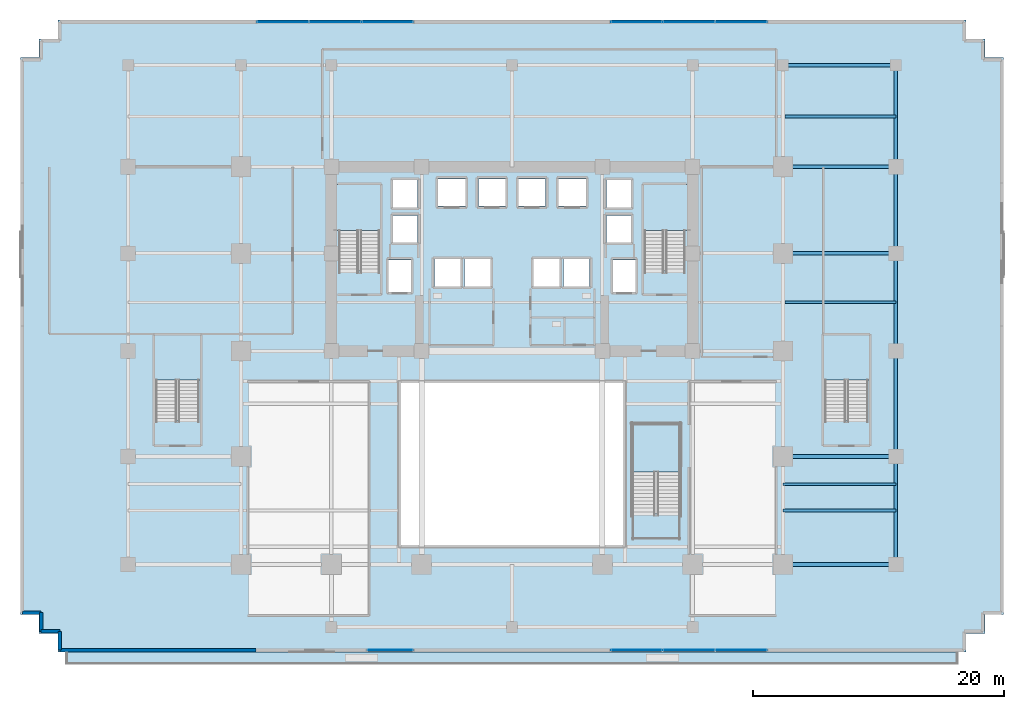
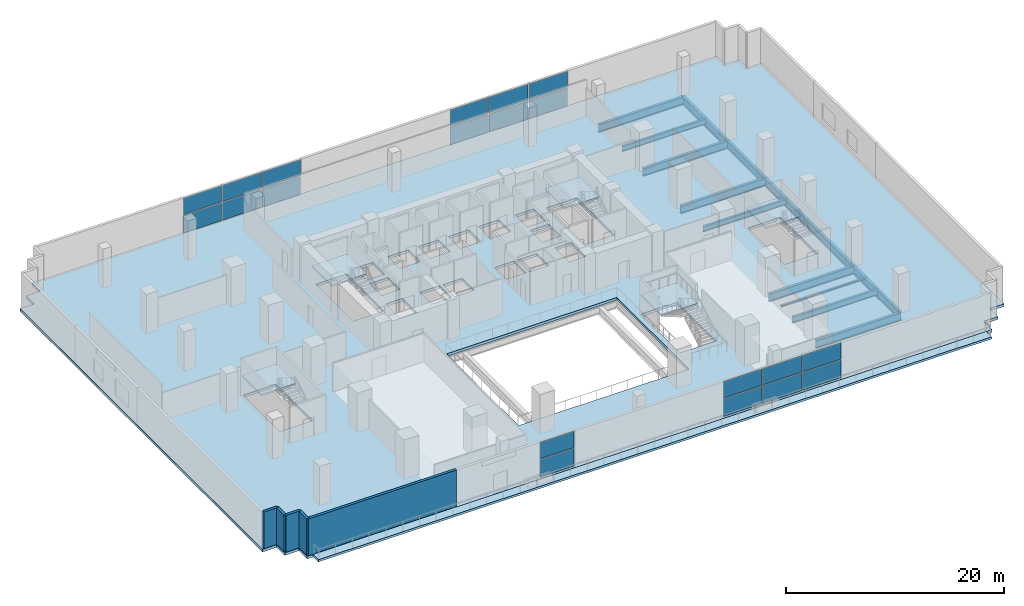
# One storey, part 11 of 21: 20 plates, 14 beams, 7 slabs, 5 walls, 9 elements without a shape of their own.
"""IFC4 building model written with IfcOpenShell, lengths in metres."""

import ifcopenshell
import ifcopenshell.guid

model = None  # the IFC model being written
_history = None  # IfcOwnerHistory: only IFC2X3 demands one
_inside = {}  # id of a spatial element -> (the spatial element, [elements in it])
_under = {}  # id of a project, library or spatial element -> (it, [spatial elements below it])
_declared = {}  # id of a project -> (the project, [libraries it declares])
_typed = {}  # id of a type object -> (the type object, [elements of that type])
_made_of = {}  # id of a material, layer set ... -> (it, [elements and type objects made of it])


def new_model(schema):
    """Start an empty IFC model of exactly this schema.

    Asked for "IFC4X3", IfcOpenShell would pick the latest addendum, in which some entities
    have other attributes; the version numbers below select the first issue.
    IFC2X3 requires an IfcOwnerHistory on every rooted entity: one is made here for all.
    """
    global model, _history
    if schema == "IFC4X3":
        model = ifcopenshell.file(schema_version=(4, 3, 0, 0))
    else:
        model = ifcopenshell.file(schema=schema)
    _inside.clear()
    _under.clear()
    _declared.clear()
    _typed.clear()
    _made_of.clear()
    _history = None
    if model.schema == "IFC2X3":
        org = make("IfcOrganization", Name="unknown")
        user = make(
            "IfcPersonAndOrganization",
            ThePerson=make("IfcPerson", FamilyName="unknown"),
            TheOrganization=org,
        )
        app = make(
            "IfcApplication",
            ApplicationDeveloper=org,
            Version="unknown",
            ApplicationFullName="unknown",
            ApplicationIdentifier="unknown",
        )
        _history = make(
            "IfcOwnerHistory",
            OwningUser=user,
            OwningApplication=app,
            ChangeAction="ADDED",
            CreationDate=0,
        )
    return model


def make(cls, **values):
    """One entity of the class cls with the attributes given. An attribute that is None is left unset."""
    return model.create_entity(
        cls, **{name: value for name, value in values.items() if value is not None}
    )


def rooted(cls, **values):
    """An entity with a GlobalId (a new one), such as an element, a storey or a relation."""
    return make(cls, GlobalId=ifcopenshell.guid.new(), OwnerHistory=_history, **values)


def si_unit(unit_type, name, prefix=None):
    """IfcSIUnit, for example si_unit("LENGTHUNIT", "METRE", prefix="MILLI")."""
    return make("IfcSIUnit", UnitType=unit_type, Prefix=prefix, Name=name)


def assignment(units):
    """IfcUnitAssignment: the units of a project."""
    return None if units is None else make("IfcUnitAssignment", Units=units)


def point(xyz):
    """IfcCartesianPoint."""
    return None if xyz is None else make("IfcCartesianPoint", Coordinates=xyz)


def direction(xyz):
    """IfcDirection."""
    return None if xyz is None else make("IfcDirection", DirectionRatios=xyz)


def frame(location, z_axis=None, x_axis=None):
    """IfcAxis2Placement3D, a coordinate frame: its origin and axes. An axis left out is left unset."""
    return make(
        "IfcAxis2Placement3D",
        Location=point(location),
        Axis=direction(z_axis),
        RefDirection=direction(x_axis),
    )


def frame_2d(location, x_axis=None):
    """IfcAxis2Placement2D, a coordinate frame in the plane: its origin and x axis."""
    return make(
        "IfcAxis2Placement2D", Location=point(location), RefDirection=direction(x_axis)
    )


def origin():
    """The frame at (0, 0, 0) with its axes left unset."""
    return frame((0.0, 0.0, 0.0))


def origin_2d():
    """The frame at (0, 0) in the plane with its x axis left unset."""
    return frame_2d((0.0, 0.0))


def place(relative_to, where):
    """IfcLocalPlacement: puts the frame where relative to a parent placement (None: the world)."""
    return make(
        "IfcLocalPlacement", PlacementRelTo=relative_to, RelativePlacement=where
    )


def context(
    kind, dimensions, precision=None, world=None, true_north=None, identifier=None
):
    """IfcGeometricRepresentationContext, for example the 3D "Model" context."""
    return make(
        "IfcGeometricRepresentationContext",
        ContextIdentifier=identifier,
        ContextType=kind,
        CoordinateSpaceDimension=dimensions,
        Precision=precision,
        WorldCoordinateSystem=world,
        TrueNorth=true_north,
    )


def subcontext(parent, identifier, kind, view, scale=None):
    """IfcGeometricRepresentationSubContext, for example "Body" below "Model"."""
    return make(
        "IfcGeometricRepresentationSubContext",
        ContextIdentifier=identifier,
        ContextType=kind,
        ParentContext=parent,
        TargetScale=scale,
        TargetView=view,
    )


def project(units=None, contexts=None):
    """IfcProject with its units and contexts."""
    return rooted(
        "IfcProject",
        Name="project",
        RepresentationContexts=contexts,
        UnitsInContext=assignment(units),
    )


def spatial(cls, under=None, at=None, **own):
    """A site, building, storey or space (cls), placed at a placement, below another one or the project."""
    s = rooted(cls, ObjectPlacement=at, **own)
    if under is not None:
        _under.setdefault(under.id(), (under, []))[1].append(s)
    return s


def polyline(points):
    """IfcPolyline through the points."""
    return make("IfcPolyline", Points=[point(p) for p in points])


def profile(cls, at=None, kind="AREA", **sizes):
    """A parametric profile (cls). Its sizes go by their IFC names, for example OverallWidth=200.0."""
    return make(cls, ProfileType=kind, Position=at, **sizes)


def rectangle(**sizes):
    """IfcRectangleProfileDef."""
    return profile("IfcRectangleProfileDef", **sizes)


def i_section(**sizes):
    """IfcIShapeProfileDef."""
    return profile("IfcIShapeProfileDef", **sizes)


def outline(outer, holes=None, kind="AREA"):
    """IfcArbitraryClosedProfileDef: a profile drawn as a closed curve; with holes, ...WithVoids."""
    if holes is None:
        return make("IfcArbitraryClosedProfileDef", ProfileType=kind, OuterCurve=outer)
    return make(
        "IfcArbitraryProfileDefWithVoids",
        ProfileType=kind,
        OuterCurve=outer,
        InnerCurves=holes,
    )


def extrude(swept, where, along, depth):
    """IfcExtrudedAreaSolid: the profile swept, set in the frame where, extruded along a direction by depth."""
    return make(
        "IfcExtrudedAreaSolid",
        SweptArea=swept,
        Position=where,
        ExtrudedDirection=direction(along),
        Depth=depth,
    )


def shape(context_of_items, identifier, shape_type, items):
    """IfcShapeRepresentation: the items that make up one representation, for example the "Body"."""
    return make(
        "IfcShapeRepresentation",
        ContextOfItems=context_of_items,
        RepresentationIdentifier=identifier,
        RepresentationType=shape_type,
        Items=items,
    )


def source(mapping_origin, context_of_items, identifier, shape_type, items):
    """IfcRepresentationMap: a shape defined once, which mapped items show again and again."""
    return make(
        "IfcRepresentationMap",
        MappingOrigin=mapping_origin,
        MappedRepresentation=shape(context_of_items, identifier, shape_type, items),
    )


def transform(
    local_origin,
    x_axis=None,
    y_axis=None,
    z_axis=None,
    scale=None,
    scale2=None,
    scale3=None,
    uniform=True,
):
    """IfcCartesianTransformationOperator3D, or its non-uniform kind. x_axis, y_axis, z_axis: its Axis1, 2, 3."""
    if uniform:
        return make(
            "IfcCartesianTransformationOperator3D",
            Axis1=direction(x_axis),
            Axis2=direction(y_axis),
            LocalOrigin=point(local_origin),
            Scale=scale,
            Axis3=direction(z_axis),
        )
    return make(
        "IfcCartesianTransformationOperator3DnonUniform",
        Axis1=direction(x_axis),
        Axis2=direction(y_axis),
        LocalOrigin=point(local_origin),
        Scale=scale,
        Axis3=direction(z_axis),
        Scale2=scale2,
        Scale3=scale3,
    )


def mapped(mapping_source, mapping_target):
    """IfcMappedItem: shows the shape of a source again, moved by a transform."""
    return make(
        "IfcMappedItem", MappingSource=mapping_source, MappingTarget=mapping_target
    )


def material(Name=None, Category=None):
    """IfcMaterial."""
    return make("IfcMaterial", Name=Name, Category=Category)


def layer(
    of_material, thickness, ventilated=None, Name=None, Category=None, Priority=None
):
    """IfcMaterialLayer: one layer of a wall or slab, of a material (None: an air gap)."""
    return make(
        "IfcMaterialLayer",
        Material=of_material,
        LayerThickness=thickness,
        IsVentilated=ventilated,
        Name=Name,
        Category=Category,
        Priority=Priority,
    )


def layer_set(layers, Name=None):
    """IfcMaterialLayerSet."""
    return make("IfcMaterialLayerSet", MaterialLayers=layers, LayerSetName=Name)


def material_profile(
    of_material, cross_section, Name=None, Category=None, Priority=None
):
    """IfcMaterialProfile: a cross section and its material."""
    return make(
        "IfcMaterialProfile",
        Name=Name,
        Material=of_material,
        Profile=cross_section,
        Priority=Priority,
        Category=Category,
    )


def profile_set(profiles, Name=None, composite=None):
    """IfcMaterialProfileSet."""
    return make(
        "IfcMaterialProfileSet",
        Name=Name,
        MaterialProfiles=profiles,
        CompositeProfile=composite,
    )


def made_of(thing, what):
    """Note that an element or type object is made of a material, layer set ...; save() writes the relation."""
    if what is not None:
        _made_of.setdefault(what.id(), (what, []))[1].append(thing)
    return thing


def type_object(cls, material=None, **own):
    """A type object (cls), such as IfcWallType, which elements share."""
    return made_of(rooted(cls, **own), material)


def element(
    cls,
    number,
    at=None,
    inside=None,
    cuts=None,
    type_object=None,
    material=None,
    context=None,
    identifier="Body",
    shape_type=None,
    held_by="IfcProductDefinitionShape",
    body=None,
    shapes=None,
    **own,
):
    """One element of the class cls, such as IfcWall. Its Tag is "e" and its number.

    at: its placement. inside: the storey or other place that contains it. cuts: it is an
    opening in that element (IfcRelVoidsElement). A single representation is given by context,
    identifier, shape_type and body (its items); several are given by shapes. held_by: the class
    of the entity that holds the representations. save() writes the other relations.
    """
    e = rooted(cls, Tag="e%d" % number, ObjectPlacement=at, **own)
    if body is not None:
        shapes = [shape(context, identifier, shape_type, body)]
    if shapes is not None:
        e.Representation = make(held_by, Representations=shapes)
    if inside is not None:
        _inside.setdefault(inside.id(), (inside, []))[1].append(e)
    if cuts is not None:
        rooted(
            "IfcRelVoidsElement", RelatingBuildingElement=cuts, RelatedOpeningElement=e
        )
    if type_object is not None:
        _typed.setdefault(type_object.id(), (type_object, []))[1].append(e)
    return made_of(e, material)


def aggregate(whole, parts):
    """IfcRelAggregates: a whole, such as a stair, and the parts it consists of."""
    return rooted("IfcRelAggregates", RelatingObject=whole, RelatedObjects=parts)


def save(model, path):
    """Write the relations noted so far, then the file.

    IfcRelAggregates (storeys below a building ...), IfcRelContainedInSpatialStructure (elements
    in a storey), IfcRelDefinesByType, IfcRelAssociatesMaterial and IfcRelDeclares: one each for
    every whole, place, type object, material and project.
    """
    for whole, parts in _under.values():
        aggregate(whole, parts)
    for where, things in _inside.values():
        rooted(
            "IfcRelContainedInSpatialStructure",
            RelatedElements=things,
            RelatingStructure=where,
        )
    for kind, things in _typed.values():
        rooted("IfcRelDefinesByType", RelatedObjects=things, RelatingType=kind)
    for what, things in _made_of.values():
        rooted("IfcRelAssociatesMaterial", RelatedObjects=things, RelatingMaterial=what)
    for by, libraries in _declared.values():
        rooted("IfcRelDeclares", RelatingContext=by, RelatedDefinitions=libraries)
    model.write(path)


model = new_model("IFC4")

# Units and contexts
model_context = context("Model", 3, precision=1e-05, world=origin(), true_north=direction((0.0, 1.0)))
body_context = subcontext(model_context, "Body", "Model", "MODEL_VIEW")
ifc_project = project(units=[si_unit("LENGTHUNIT", "METRE"), si_unit("AREAUNIT", "SQUARE_METRE"), si_unit("VOLUMEUNIT", "CUBIC_METRE"), si_unit("PLANEANGLEUNIT", "RADIAN"), si_unit("MASSUNIT", "GRAM", prefix="KILO")], contexts=[model_context])

# Site, building, storey
site_placement = place(None, origin())
site = spatial("IfcSite", under=ifc_project, at=site_placement, CompositionType="ELEMENT")
building_placement = place(site_placement, origin())
building = spatial("IfcBuilding", under=site, at=building_placement, Name="Zarnakvel Exchange Tower", CompositionType="ELEMENT")
storey_placement = place(building_placement, frame((0.0, 0.0, 5.0)))
storey = spatial("IfcBuildingStorey", under=building, at=storey_placement, Name="L01", CompositionType="ELEMENT", Elevation=5.0)

# Beams
ifc_material_1 = material(Name="Steel S355", Category="steel")
ifc_material_profile_1 = material_profile(ifc_material_1, i_section(OverallWidth=0.255859375, OverallDepth=0.69287109375, WebThickness=0.014404296875, FlangeThickness=0.023681640625, FilletRadius=0.01513671875, at=origin_2d()))
ifc_profile_set_1 = profile_set([ifc_material_profile_1], Name="Steel S355")
beam_type_1 = type_object("IfcBeamType", Name="B-01", PredefinedType="JOIST", material=ifc_profile_set_1)
beam_1_placement = place(storey_placement, frame((21.60009765625, -13.89990234375, -0.646484375), z_axis=(1.0, 0.0, 0.0), x_axis=(0.0, 1.0, 0.0)))
element("IfcBeam", 1, at=beam_1_placement, inside=storey, type_object=beam_type_1, Name="L01 Podium Wing Secondary Joist East", PredefinedType="JOIST", context=body_context, shape_type="SweptSolid", body=[
    extrude(i_section(OverallWidth=0.255859375, OverallDepth=0.69287109375, WebThickness=0.014404296875, FlangeThickness=0.023681640625, FilletRadius=0.01513671875, at=origin_2d()), origin(), (0.0, 0.0, 1.0), 9.0),
])
ifc_material_profile_2 = material_profile(ifc_material_1, i_section(OverallWidth=0.230224609375, OverallDepth=0.6171875, WebThickness=0.01318359375, FlangeThickness=0.022216796875, FilletRadius=0.0126953125, at=origin_2d()))
ifc_profile_set_2 = profile_set([ifc_material_profile_2], Name="Steel S355")
beam_type_2 = type_object("IfcBeamType", Name="B-02", PredefinedType="JOIST", material=ifc_profile_set_2)
for number, where, z_axis, x_axis, name in (
    (2, (21.75, 2.699951171875, -0.608642578125), (1.0, 0.0, 0.0), (0.0, 1.0, 0.0), "L01 Secondary Floor Joist"),
    (3, (21.75, 17.5, -0.608642578125), (1.0, 0.0, 0.0), (0.0, 1.0, 0.0), "L01 North Bay Secondary Floor Joist"),
):
    element("IfcBeam", number, at=place(storey_placement, frame(where, z_axis=z_axis, x_axis=x_axis)), inside=storey, type_object=beam_type_2, Name=name, PredefinedType="JOIST", context=body_context, shape_type="SweptSolid", body=[
        extrude(i_section(OverallWidth=0.230224609375, OverallDepth=0.6171875, WebThickness=0.01318359375, FlangeThickness=0.022216796875, FilletRadius=0.0126953125, at=origin_2d()), origin(), (0.0, 0.0, 1.0), 8.85009765625),
    ])
ifc_material_profile_3 = material_profile(ifc_material_1, i_section(OverallWidth=0.300048828125, OverallDepth=0.89990234375, WebThickness=0.0185546875, FlangeThickness=0.034912109375, FilletRadius=0.030029296875, at=origin_2d()))
ifc_profile_set_3 = profile_set([ifc_material_profile_3], Name="Steel S355")
beam_type_3 = type_object("IfcBeamType", Name="G-01", PredefinedType="BEAM", material=ifc_profile_set_3)
for number, where, z_axis, x_axis, name in (
    (4, (21.60009765625, -18.199951171875, -0.75), (1.0, 0.0, 0.0), (0.0, 1.0, 0.0), "L01 Primary E-W Girder Y=-18.2"),
    (5, (21.60009765625, -9.60009765625, -0.75), (1.0, 0.0, 0.0), (0.0, 1.0, 0.0), "L01 Primary E-W Girder Y=-9.6"),
    (6, (21.60009765625, 6.60009765625, -0.75), (1.0, 0.0, 0.0), (0.0, 1.0, 0.0), "L01 Primary E-W Girder Y=+6.6"),
    (7, (21.60009765625, 13.5, -0.75), (1.0, 0.0, 0.0), (0.0, 1.0, 0.0), "L01 Primary E-W Girder Y=+13.5"),
    (8, (21.60009765625, 21.60009765625, -0.75), (1.0, 0.0, 0.0), (0.0, 1.0, 0.0), "L01 Primary E-W Girder Y=+21.6"),
):
    element("IfcBeam", number, at=place(storey_placement, frame(where, z_axis=z_axis, x_axis=x_axis)), inside=storey, type_object=beam_type_3, Name=name, PredefinedType="BEAM", context=body_context, shape_type="SweptSolid", body=[
        extrude(i_section(OverallWidth=0.300048828125, OverallDepth=0.89990234375, WebThickness=0.0185546875, FlangeThickness=0.034912109375, FilletRadius=0.030029296875, at=origin_2d()), origin(), (0.0, 0.0, 1.0), 9.0),
    ])
beam_2_placement = place(storey_placement, frame((30.60009765625, -18.199951171875, -0.75), z_axis=(0.0, 1.0, 0.0), x_axis=(-1.0, 0.0, 0.0)))
element("IfcBeam", 9, at=beam_2_placement, inside=storey, type_object=beam_type_3, Name="L01 Primary N-S Girder X=+30.6", PredefinedType="BEAM", context=body_context, shape_type="SweptSolid", body=[
    extrude(i_section(OverallWidth=0.300048828125, OverallDepth=0.89990234375, WebThickness=0.0185546875, FlangeThickness=0.034912109375, FilletRadius=0.030029296875, at=origin_2d()), origin(), (0.0, 0.0, 1.0), 8.599853515625),
])
beam_3_placement = place(storey_placement, frame((30.60009765625, -9.60009765625, -0.75), z_axis=(0.0, 1.0, 0.0), x_axis=(-1.0, 0.0, 0.0)))
element("IfcBeam", 10, at=beam_3_placement, inside=storey, type_object=beam_type_3, Name="L01 Primary N-S Girder X=+30.6", PredefinedType="BEAM", context=body_context, shape_type="SweptSolid", body=[
    extrude(i_section(OverallWidth=0.300048828125, OverallDepth=0.89990234375, WebThickness=0.0185546875, FlangeThickness=0.034912109375, FilletRadius=0.030029296875, at=origin_2d()), origin(), (0.0, 0.0, 1.0), 8.400146484375),
])
beam_4_placement = place(storey_placement, frame((30.60009765625, -1.199951171875, -0.75), z_axis=(0.0, 1.0, 0.0), x_axis=(-1.0, 0.0, 0.0)))
element("IfcBeam", 11, at=beam_4_placement, inside=storey, type_object=beam_type_3, Name="L01 Primary N-S Girder X=+30.6", PredefinedType="BEAM", context=body_context, shape_type="SweptSolid", body=[
    extrude(i_section(OverallWidth=0.300048828125, OverallDepth=0.89990234375, WebThickness=0.0185546875, FlangeThickness=0.034912109375, FilletRadius=0.030029296875, at=origin_2d()), origin(), (0.0, 0.0, 1.0), 7.800048828125),
])
beam_5_placement = place(storey_placement, frame((30.60009765625, 6.60009765625, -0.75), z_axis=(0.0, 1.0, 0.0), x_axis=(-1.0, 0.0, 0.0)))
element("IfcBeam", 12, at=beam_5_placement, inside=storey, type_object=beam_type_3, Name="L01 Primary N-S Girder X=+30.6", PredefinedType="BEAM", context=body_context, shape_type="SweptSolid", body=[
    extrude(i_section(OverallWidth=0.300048828125, OverallDepth=0.89990234375, WebThickness=0.0185546875, FlangeThickness=0.034912109375, FilletRadius=0.030029296875, at=origin_2d()), origin(), (0.0, 0.0, 1.0), 6.89990234375),
])
beam_6_placement = place(storey_placement, frame((30.60009765625, 13.5, -0.75), z_axis=(0.0, 1.0, 0.0), x_axis=(-1.0, 0.0, 0.0)))
element("IfcBeam", 13, at=beam_6_placement, inside=storey, type_object=beam_type_3, Name="L01 Primary N-S Girder X=+30.6", PredefinedType="BEAM", context=body_context, shape_type="SweptSolid", body=[
    extrude(i_section(OverallWidth=0.300048828125, OverallDepth=0.89990234375, WebThickness=0.0185546875, FlangeThickness=0.034912109375, FilletRadius=0.030029296875, at=origin_2d()), origin(), (0.0, 0.0, 1.0), 8.10009765625),
])
ifc_material_profile_4 = material_profile(ifc_material_1, i_section(OverallWidth=0.199951171875, OverallDepth=0.199951171875, WebThickness=0.009033203125, FlangeThickness=0.014892578125, FilletRadius=0.01806640625, at=origin_2d()))
ifc_profile_set_4 = profile_set([ifc_material_profile_4], Name="Steel S355")
beam_type_4 = type_object("IfcBeamType", Name="LN-02", PredefinedType="LINTEL", material=ifc_profile_set_4)
beam_7_placement = place(storey_placement, frame((21.60009765625, -11.800048828125, -0.39990234375), z_axis=(1.0, 0.0, 0.0), x_axis=(0.0, 1.0, 0.0)))
element("IfcBeam", 14, at=beam_7_placement, inside=storey, type_object=beam_type_4, Name="L01 Concourse Gallery Opening Lintel East", PredefinedType="LINTEL", context=body_context, shape_type="SweptSolid", body=[
    extrude(i_section(OverallWidth=0.199951171875, OverallDepth=0.199951171875, WebThickness=0.009033203125, FlangeThickness=0.014892578125, FilletRadius=0.01806640625, at=origin_2d()), origin(), (0.0, 0.0, 1.0), 9.0),
])

# Stair, slab
ifc_material_2 = material(Name="Concrete C40/50", Category="concrete")
stair_type_1 = type_object("IfcStairType", Name="STR-01", PredefinedType="HALF_TURN_STAIR", material=ifc_material_2)
stair_1_placement = place(storey_placement, origin())
stair_1 = element("IfcStair", 15, at=stair_1_placement, inside=storey, type_object=stair_type_1, Name="L01 Protected Core Exit Stair ST-01", PredefinedType="HALF_TURN_STAIR")
ifc_layer_1 = layer(ifc_material_2, 0.199951171875)
ifc_layer_set_1 = layer_set([ifc_layer_1], Name="Concrete C40/50")
slab_type_1 = type_object("IfcSlabType", Name="LDG-01", PredefinedType="LANDING", material=ifc_layer_set_1)
slab_1_placement = place(storey_placement, frame((0.0, 0.0, 2.0)))
slab_1 = element("IfcSlab", 16, at=slab_1_placement, type_object=slab_type_1, Name="ST-01 landing 1", PredefinedType="LANDING", context=body_context, shape_type="SweptSolid", body=[
    extrude(outline(polyline([(-14.18994140625, 8.409912109375), (-10.4599609375, 8.409912109375), (-10.4599609375, 12.080078125), (-14.18994140625, 12.080078125), (-14.18994140625, 8.409912109375)])), origin(), (0.0, 0.0, 1.0), 0.199951171875),
])
aggregate(stair_1, [slab_1])

stair_2_placement = place(storey_placement, origin())
stair_2 = element("IfcStair", 17, at=stair_2_placement, inside=storey, type_object=stair_type_1, Name="L01 Protected Core Exit Stair ST-02", PredefinedType="HALF_TURN_STAIR")
slab_2_placement = place(storey_placement, frame((0.0, 0.0, 2.0)))
slab_2 = element("IfcSlab", 18, at=slab_2_placement, type_object=slab_type_1, Name="ST-02 landing 1", PredefinedType="LANDING", context=body_context, shape_type="SweptSolid", body=[
    extrude(outline(polyline([(10.4599609375, 8.409912109375), (14.18994140625, 8.409912109375), (14.18994140625, 12.080078125), (10.4599609375, 12.080078125), (10.4599609375, 8.409912109375)])), origin(), (0.0, 0.0, 1.0), 0.199951171875),
])
aggregate(stair_2, [slab_2])

stair_type_2 = type_object("IfcStairType", Name="STR-02", PredefinedType="HALF_TURN_STAIR", material=ifc_material_2)
stair_3_placement = place(storey_placement, origin())
stair_3 = element("IfcStair", 19, at=stair_3_placement, inside=storey, type_object=stair_type_2, Name="L01 Podium West Exit Stair ST-03", PredefinedType="HALF_TURN_STAIR")
slab_3_placement = place(storey_placement, frame((0.0, 0.0, 2.0)))
slab_3 = element("IfcSlab", 20, at=slab_3_placement, type_object=slab_type_1, Name="ST-03 landing 1", PredefinedType="LANDING", context=body_context, shape_type="SweptSolid", body=[
    extrude(outline(polyline([(-28.5, -3.489990234375), (-24.840087890625, -3.489990234375), (-24.840087890625, 0.10009765625), (-28.5, 0.10009765625), (-28.5, -3.489990234375)])), origin(), (0.0, 0.0, 1.0), 0.199951171875),
])
aggregate(stair_3, [slab_3])

stair_4_placement = place(storey_placement, origin())
stair_4 = element("IfcStair", 21, at=stair_4_placement, inside=storey, type_object=stair_type_2, Name="L01 Podium East Exit Stair ST-04", PredefinedType="HALF_TURN_STAIR")
slab_4_placement = place(storey_placement, frame((0.0, 0.0, 2.0)))
slab_4 = element("IfcSlab", 22, at=slab_4_placement, type_object=slab_type_1, Name="ST-04 landing 1", PredefinedType="LANDING", context=body_context, shape_type="SweptSolid", body=[
    extrude(outline(polyline([(24.840087890625, -3.489990234375), (28.5, -3.489990234375), (28.5, 0.10009765625), (24.840087890625, 0.10009765625), (24.840087890625, -3.489990234375)])), origin(), (0.0, 0.0, 1.0), 0.199951171875),
])
aggregate(stair_4, [slab_4])

stair_type_3 = type_object("IfcStairType", Name="STR-04", PredefinedType="HALF_TURN_STAIR", material=ifc_material_2)
stair_5_placement = place(storey_placement, origin())
stair_5 = element("IfcStair", 23, at=stair_5_placement, inside=storey, type_object=stair_type_3, Name="L01 Exchange Concourse Atrium Feature Stair ST-06", PredefinedType="HALF_TURN_STAIR")
slab_5_placement = place(storey_placement, frame((0.0, 0.0, 2.0)))
slab_5 = element("IfcSlab", 24, at=slab_5_placement, type_object=slab_type_1, Name="ST-06 landing 1", PredefinedType="LANDING", context=body_context, shape_type="SweptSolid", body=[
    extrude(outline(polyline([(9.580078125, -10.820068359375), (13.419921875, -10.820068359375), (13.419921875, -6.97998046875), (9.580078125, -6.97998046875), (9.580078125, -10.820068359375)])), origin(), (0.0, 0.0, 1.0), 0.199951171875),
])
aggregate(stair_5, [slab_5])

# Slabs
ifc_layer_2 = layer(ifc_material_2, 0.300048828125)
ifc_layer_set_2 = layer_set([ifc_layer_2], Name="Concrete C40/50")
slab_type_2 = type_object("IfcSlabType", Name="SL-01", PredefinedType="FLOOR", material=ifc_layer_set_2)
slab_6_placement = place(storey_placement, frame((0.0, 0.0, -0.300048828125)))
element("IfcSlab", 25, at=slab_6_placement, inside=storey, type_object=slab_type_2, Name="L01 Primary Structural Floor Slab", PredefinedType="FLOOR", context=body_context, shape_type="SweptSolid", body=[
    extrude(outline(polyline([(-39.199951171875, -22.199951171875), (-37.699951171875, -22.199951171875), (-37.699951171875, -23.699951171875), (-36.199951171875, -23.699951171875), (-36.199951171875, -25.199951171875), (36.199951171875, -25.199951171875), (36.199951171875, -23.699951171875), (37.699951171875, -23.699951171875), (37.699951171875, -22.199951171875), (39.199951171875, -22.199951171875), (39.199951171875, 22.199951171875), (37.699951171875, 22.199951171875), (37.699951171875, 23.699951171875), (36.199951171875, 23.699951171875), (36.199951171875, 25.199951171875), (-36.199951171875, 25.199951171875), (-36.199951171875, 23.699951171875), (-37.699951171875, 23.699951171875), (-37.699951171875, 22.199951171875), (-39.199951171875, 22.199951171875), (-39.199951171875, -22.199951171875)]), holes=[polyline([(-9.0, -16.800048828125), (9.0, -16.800048828125), (9.0, -3.60009765625), (-9.0, -3.60009765625), (-9.0, -16.800048828125)]), polyline([(-13.800048828125, 5.2099609375), (-10.5400390625, 5.2099609375), (-10.5400390625, 12.0), (-13.800048828125, 12.0), (-13.800048828125, 5.2099609375)]), polyline([(10.5400390625, 5.2099609375), (13.800048828125, 5.2099609375), (13.800048828125, 12.0), (10.5400390625, 12.0), (10.5400390625, 5.2099609375)]), polyline([(-28.39990234375, -6.68994140625), (-24.93994140625, -6.68994140625), (-24.93994140625, 0.0), (-28.39990234375, 0.0), (-28.39990234375, -6.68994140625)]), polyline([(24.93994140625, -6.68994140625), (28.39990234375, -6.68994140625), (28.39990234375, 0.0), (24.93994140625, 0.0), (24.93994140625, -6.68994140625)]), polyline([(9.60009765625, -14.139892578125), (13.39990234375, -14.139892578125), (13.39990234375, -7.0), (9.60009765625, -7.0), (9.60009765625, -14.139892578125)]), polyline([(-9.830078125, 3.52001953125), (-8.070068359375, 3.52001953125), (-8.070068359375, 6.080078125), (-9.830078125, 6.080078125), (-9.830078125, 3.52001953125)]), polyline([(8.070068359375, 3.52001953125), (9.830078125, 3.52001953125), (9.830078125, 6.080078125), (8.070068359375, 6.080078125), (8.070068359375, 3.52001953125)]), polyline([(-5.8798828125, 10.3701171875), (-3.719970703125, 10.3701171875), (-3.719970703125, 12.530029296875), (-5.8798828125, 12.530029296875), (-5.8798828125, 10.3701171875)]), polyline([(-2.679931640625, 10.3701171875), (-0.52001953125, 10.3701171875), (-0.52001953125, 12.530029296875), (-2.679931640625, 12.530029296875), (-2.679931640625, 10.3701171875)]), polyline([(0.52001953125, 10.3701171875), (2.679931640625, 10.3701171875), (2.679931640625, 12.530029296875), (0.52001953125, 12.530029296875), (0.52001953125, 10.3701171875)]), polyline([(3.719970703125, 10.3701171875), (5.8798828125, 10.3701171875), (5.8798828125, 12.530029296875), (3.719970703125, 12.530029296875), (3.719970703125, 10.3701171875)]), polyline([(-6.179931640625, 3.969970703125), (-4.1201171875, 3.969970703125), (-4.1201171875, 6.1298828125), (-6.179931640625, 6.1298828125), (-6.179931640625, 3.969970703125)]), polyline([(-3.780029296875, 3.969970703125), (-1.719970703125, 3.969970703125), (-1.719970703125, 6.1298828125), (-3.780029296875, 6.1298828125), (-3.780029296875, 3.969970703125)]), polyline([(1.719970703125, 3.969970703125), (3.780029296875, 3.969970703125), (3.780029296875, 6.1298828125), (1.719970703125, 6.1298828125), (1.719970703125, 3.969970703125)]), polyline([(4.1201171875, 3.969970703125), (6.179931640625, 3.969970703125), (6.179931640625, 6.1298828125), (4.1201171875, 6.1298828125), (4.1201171875, 3.969970703125)]), polyline([(-9.47998046875, 7.469970703125), (-7.52001953125, 7.469970703125), (-7.52001953125, 9.6298828125), (-9.47998046875, 9.6298828125), (-9.47998046875, 7.469970703125)]), polyline([(-9.47998046875, 10.27001953125), (-7.52001953125, 10.27001953125), (-7.52001953125, 12.429931640625), (-9.47998046875, 12.429931640625), (-9.47998046875, 10.27001953125)]), polyline([(7.52001953125, 7.469970703125), (9.47998046875, 7.469970703125), (9.47998046875, 9.6298828125), (7.52001953125, 9.6298828125), (7.52001953125, 7.469970703125)]), polyline([(7.52001953125, 10.27001953125), (9.47998046875, 10.27001953125), (9.47998046875, 12.429931640625), (7.52001953125, 12.429931640625), (7.52001953125, 10.27001953125)])]), origin(), (0.0, 0.0, 1.0), 0.300048828125),
])
ifc_layer_3 = layer(ifc_material_2, 0.239990234375)
ifc_layer_set_3 = layer_set([ifc_layer_3], Name="Concrete C40/50")
slab_type_3 = type_object("IfcSlabType", Name="SL-06", PredefinedType="ROOF", material=ifc_layer_set_3)
slab_7_placement = place(storey_placement, frame((0.0, 0.0, -0.239990234375)))
element("IfcSlab", 26, at=slab_7_placement, inside=storey, type_object=slab_type_3, Name="L01 Cascading Podium Outdoor Terrace Slab", PredefinedType="ROOF", context=body_context, shape_type="SweptSolid", body=[
    extrude(outline(polyline([(-35.60009765625, -26.199951171875), (35.60009765625, -26.199951171875), (35.60009765625, -25.199951171875), (-35.60009765625, -25.199951171875), (-35.60009765625, -26.199951171875)])), origin(), (0.0, 0.0, 1.0), 0.239990234375),
])

# Curtain wall, plates
ifc_material_3 = material(Name="Architectural Bronze Anodised Aluminium", Category="aluminium")
ifc_layer_4 = layer(ifc_material_3, 0.260009765625)
ifc_layer_set_4 = layer_set([ifc_layer_4], Name="Architectural Bronze Anodised Aluminium")
curtain_wall_type = type_object("IfcCurtainWallType", Name="CW-01", PredefinedType="NOTDEFINED", material=ifc_layer_set_4)
curtain_wall_1_placement = place(storey_placement, origin())
curtain_wall_1 = element("IfcCurtainWall", 27, at=curtain_wall_1_placement, inside=storey, type_object=curtain_wall_type, Name="L01 Curtain Wall CW-L01-S1 (CW-01)", PredefinedType="NOTDEFINED")
ifc_material_4 = material(Name="Double Low-E Laminated Vision Glass", Category="glass")
ifc_layer_5 = layer(ifc_material_4, 0.035888671875)
ifc_layer_set_5 = layer_set([ifc_layer_5], Name="Double Low-E Laminated Vision Glass")
plate_type = type_object("IfcPlateType", Name="CWP-01", PredefinedType="CURTAIN_PANEL", material=ifc_layer_set_5)
shared_shape_1 = source(origin(), body_context, "Body", "SweptSolid", [
    extrude(rectangle(XDim=3.60009765625, YDim=0.035888671875, at=origin_2d()), origin(), (0.0, 0.0, 1.0), 1.986572265625),
])
plate_1_placement = place(storey_placement, frame((-9.699951171875, -25.0400390625, 0.08984375), z_axis=(0.0, 0.0, 1.0), x_axis=(1.0, 0.0, 0.0)))
plate_1 = element("IfcPlate", 28, at=plate_1_placement, type_object=plate_type, Name="CW-01 panel 1.1", PredefinedType="CURTAIN_PANEL", context=body_context, shape_type="MappedRepresentation", body=[
    mapped(shared_shape_1, transform((0.0, 0.0, 0.0), x_axis=(1.0, 0.0, 0.0), y_axis=(0.0, 1.0, 0.0), z_axis=(0.0, 0.0, 1.0), scale=1.0)),
])
shared_shape_2 = source(origin(), body_context, "Body", "SweptSolid", [
    extrude(rectangle(XDim=3.60009765625, YDim=0.035888671875, at=origin_2d()), origin(), (0.0, 0.0, 1.0), 1.823486328125),
])
plate_2_placement = place(storey_placement, frame((-9.699951171875, -25.0400390625, 2.16650390625), z_axis=(0.0, 0.0, 1.0), x_axis=(1.0, 0.0, 0.0)))
plate_2 = element("IfcPlate", 29, at=plate_2_placement, type_object=plate_type, Name="CW-01 panel 1.2", PredefinedType="CURTAIN_PANEL", context=body_context, shape_type="MappedRepresentation", body=[
    mapped(shared_shape_2, transform((0.0, 0.0, 0.0), x_axis=(1.0, 0.0, 0.0), y_axis=(0.0, 1.0, 0.0), z_axis=(0.0, 0.0, 1.0), scale=1.0)),
])
aggregate(curtain_wall_1, [plate_1, plate_2])

curtain_wall_2_placement = place(storey_placement, origin())
curtain_wall_2 = element("IfcCurtainWall", 30, at=curtain_wall_2_placement, inside=storey, type_object=curtain_wall_type, Name="L01 Curtain Wall CW-L01-S2 (CW-01)", PredefinedType="NOTDEFINED")
shared_shape_3 = source(origin(), body_context, "Body", "SweptSolid", [
    extrude(rectangle(XDim=4.050048828125, YDim=0.035888671875, at=origin_2d()), origin(), (0.0, 0.0, 1.0), 1.986572265625),
])
plate_3_placement = place(storey_placement, frame((9.925048828125, -25.0400390625, 0.08984375), z_axis=(0.0, 0.0, 1.0), x_axis=(1.0, 0.0, 0.0)))
plate_3 = element("IfcPlate", 31, at=plate_3_placement, type_object=plate_type, Name="CW-01 panel 1.1", PredefinedType="CURTAIN_PANEL", context=body_context, shape_type="MappedRepresentation", body=[
    mapped(shared_shape_3, transform((0.0, 0.0, 0.0), x_axis=(1.0, 0.0, 0.0), y_axis=(0.0, 1.0, 0.0), z_axis=(0.0, 0.0, 1.0), scale=1.0)),
])
plate_4_placement = place(storey_placement, frame((18.27490234375, -25.0400390625, 0.08984375), z_axis=(0.0, 0.0, 1.0), x_axis=(1.0, 0.0, 0.0)))
plate_4 = element("IfcPlate", 32, at=plate_4_placement, type_object=plate_type, Name="CW-01 panel 3.1", PredefinedType="CURTAIN_PANEL", context=body_context, shape_type="MappedRepresentation", body=[
    mapped(shared_shape_3, transform((0.0, 0.0, 0.0), x_axis=(1.0, 0.0, 0.0), y_axis=(0.0, 1.0, 0.0), z_axis=(0.0, 0.0, 1.0), scale=1.0)),
])

curtain_wall_3_placement = place(storey_placement, origin())
curtain_wall_3 = element("IfcCurtainWall", 33, at=curtain_wall_3_placement, inside=storey, type_object=curtain_wall_type, Name="L01 Curtain Wall CW-L01-N1 (CW-01)", PredefinedType="NOTDEFINED")
plate_5_placement = place(storey_placement, frame((-18.27490234375, 25.0400390625, 0.08984375), z_axis=(0.0, 0.0, 1.0), x_axis=(1.0, 0.0, 0.0)))
plate_5 = element("IfcPlate", 34, at=plate_5_placement, type_object=plate_type, Name="CW-01 panel 1.1", PredefinedType="CURTAIN_PANEL", context=body_context, shape_type="MappedRepresentation", body=[
    mapped(shared_shape_3, transform((0.0, 0.0, 0.0), x_axis=(1.0, 0.0, 0.0), y_axis=(0.0, 1.0, 0.0), z_axis=(0.0, 0.0, 1.0), scale=1.0)),
])
plate_6_placement = place(storey_placement, frame((-9.925048828125, 25.0400390625, 0.08984375), z_axis=(0.0, 0.0, 1.0), x_axis=(1.0, 0.0, 0.0)))
plate_6 = element("IfcPlate", 35, at=plate_6_placement, type_object=plate_type, Name="CW-01 panel 3.1", PredefinedType="CURTAIN_PANEL", context=body_context, shape_type="MappedRepresentation", body=[
    mapped(shared_shape_3, transform((0.0, 0.0, 0.0), x_axis=(1.0, 0.0, 0.0), y_axis=(0.0, 1.0, 0.0), z_axis=(0.0, 0.0, 1.0), scale=1.0)),
])

curtain_wall_4_placement = place(storey_placement, origin())
curtain_wall_4 = element("IfcCurtainWall", 36, at=curtain_wall_4_placement, inside=storey, type_object=curtain_wall_type, Name="L01 Curtain Wall CW-L01-N2 (CW-01)", PredefinedType="NOTDEFINED")
plate_7_placement = place(storey_placement, frame((9.925048828125, 25.0400390625, 0.08984375), z_axis=(0.0, 0.0, 1.0), x_axis=(1.0, 0.0, 0.0)))
plate_7 = element("IfcPlate", 37, at=plate_7_placement, type_object=plate_type, Name="CW-01 panel 1.1", PredefinedType="CURTAIN_PANEL", context=body_context, shape_type="MappedRepresentation", body=[
    mapped(shared_shape_3, transform((0.0, 0.0, 0.0), x_axis=(1.0, 0.0, 0.0), y_axis=(0.0, 1.0, 0.0), z_axis=(0.0, 0.0, 1.0), scale=1.0)),
])
plate_8_placement = place(storey_placement, frame((18.27490234375, 25.0400390625, 0.08984375), z_axis=(0.0, 0.0, 1.0), x_axis=(1.0, 0.0, 0.0)))
plate_8 = element("IfcPlate", 38, at=plate_8_placement, type_object=plate_type, Name="CW-01 panel 3.1", PredefinedType="CURTAIN_PANEL", context=body_context, shape_type="MappedRepresentation", body=[
    mapped(shared_shape_3, transform((0.0, 0.0, 0.0), x_axis=(1.0, 0.0, 0.0), y_axis=(0.0, 1.0, 0.0), z_axis=(0.0, 0.0, 1.0), scale=1.0)),
])

# Plate
shared_shape_4 = source(origin(), body_context, "Body", "SweptSolid", [
    extrude(rectangle(XDim=4.050048828125, YDim=0.035888671875, at=origin_2d()), origin(), (0.0, 0.0, 1.0), 1.823486328125),
])
plate_9_placement = place(storey_placement, frame((9.925048828125, -25.0400390625, 2.16650390625), z_axis=(0.0, 0.0, 1.0), x_axis=(1.0, 0.0, 0.0)))
plate_9 = element("IfcPlate", 39, at=plate_9_placement, type_object=plate_type, Name="CW-01 panel 1.2", PredefinedType="CURTAIN_PANEL", context=body_context, shape_type="MappedRepresentation", body=[
    mapped(shared_shape_4, transform((0.0, 0.0, 0.0), x_axis=(1.0, 0.0, 0.0), y_axis=(0.0, 1.0, 0.0), z_axis=(0.0, 0.0, 1.0), scale=1.0)),
])

plate_10_placement = place(storey_placement, frame((18.27490234375, -25.0400390625, 2.16650390625), z_axis=(0.0, 0.0, 1.0), x_axis=(1.0, 0.0, 0.0)))
plate_10 = element("IfcPlate", 40, at=plate_10_placement, type_object=plate_type, Name="CW-01 panel 3.2", PredefinedType="CURTAIN_PANEL", context=body_context, shape_type="MappedRepresentation", body=[
    mapped(shared_shape_4, transform((0.0, 0.0, 0.0), x_axis=(1.0, 0.0, 0.0), y_axis=(0.0, 1.0, 0.0), z_axis=(0.0, 0.0, 1.0), scale=1.0)),
])

plate_11_placement = place(storey_placement, frame((-18.27490234375, 25.0400390625, 2.16650390625), z_axis=(0.0, 0.0, 1.0), x_axis=(1.0, 0.0, 0.0)))
plate_11 = element("IfcPlate", 41, at=plate_11_placement, type_object=plate_type, Name="CW-01 panel 1.2", PredefinedType="CURTAIN_PANEL", context=body_context, shape_type="MappedRepresentation", body=[
    mapped(shared_shape_4, transform((0.0, 0.0, 0.0), x_axis=(1.0, 0.0, 0.0), y_axis=(0.0, 1.0, 0.0), z_axis=(0.0, 0.0, 1.0), scale=1.0)),
])

plate_12_placement = place(storey_placement, frame((-9.925048828125, 25.0400390625, 2.16650390625), z_axis=(0.0, 0.0, 1.0), x_axis=(1.0, 0.0, 0.0)))
plate_12 = element("IfcPlate", 42, at=plate_12_placement, type_object=plate_type, Name="CW-01 panel 3.2", PredefinedType="CURTAIN_PANEL", context=body_context, shape_type="MappedRepresentation", body=[
    mapped(shared_shape_4, transform((0.0, 0.0, 0.0), x_axis=(1.0, 0.0, 0.0), y_axis=(0.0, 1.0, 0.0), z_axis=(0.0, 0.0, 1.0), scale=1.0)),
])

plate_13_placement = place(storey_placement, frame((9.925048828125, 25.0400390625, 2.16650390625), z_axis=(0.0, 0.0, 1.0), x_axis=(1.0, 0.0, 0.0)))
plate_13 = element("IfcPlate", 43, at=plate_13_placement, type_object=plate_type, Name="CW-01 panel 1.2", PredefinedType="CURTAIN_PANEL", context=body_context, shape_type="MappedRepresentation", body=[
    mapped(shared_shape_4, transform((0.0, 0.0, 0.0), x_axis=(1.0, 0.0, 0.0), y_axis=(0.0, 1.0, 0.0), z_axis=(0.0, 0.0, 1.0), scale=1.0)),
])

plate_14_placement = place(storey_placement, frame((18.27490234375, 25.0400390625, 2.16650390625), z_axis=(0.0, 0.0, 1.0), x_axis=(1.0, 0.0, 0.0)))
plate_14 = element("IfcPlate", 44, at=plate_14_placement, type_object=plate_type, Name="CW-01 panel 3.2", PredefinedType="CURTAIN_PANEL", context=body_context, shape_type="MappedRepresentation", body=[
    mapped(shared_shape_4, transform((0.0, 0.0, 0.0), x_axis=(1.0, 0.0, 0.0), y_axis=(0.0, 1.0, 0.0), z_axis=(0.0, 0.0, 1.0), scale=1.0)),
])

shared_shape_5 = source(origin(), body_context, "Body", "SweptSolid", [
    extrude(rectangle(XDim=4.10009765625, YDim=0.035888671875, at=origin_2d()), origin(), (0.0, 0.0, 1.0), 1.986572265625),
])
plate_15_placement = place(storey_placement, frame((14.10009765625, -25.0400390625, 0.08984375), z_axis=(0.0, 0.0, 1.0), x_axis=(1.0, 0.0, 0.0)))
plate_15 = element("IfcPlate", 45, at=plate_15_placement, type_object=plate_type, Name="CW-01 panel 2.1", PredefinedType="CURTAIN_PANEL", context=body_context, shape_type="MappedRepresentation", body=[
    mapped(shared_shape_5, transform((0.0, 0.0, 0.0), x_axis=(1.0, 0.0, 0.0), y_axis=(0.0, 1.0, 0.0), z_axis=(0.0, 0.0, 1.0), scale=1.0)),
])

plate_16_placement = place(storey_placement, frame((-14.10009765625, 25.0400390625, 0.08984375), z_axis=(0.0, 0.0, 1.0), x_axis=(1.0, 0.0, 0.0)))
plate_16 = element("IfcPlate", 46, at=plate_16_placement, type_object=plate_type, Name="CW-01 panel 2.1", PredefinedType="CURTAIN_PANEL", context=body_context, shape_type="MappedRepresentation", body=[
    mapped(shared_shape_5, transform((0.0, 0.0, 0.0), x_axis=(1.0, 0.0, 0.0), y_axis=(0.0, 1.0, 0.0), z_axis=(0.0, 0.0, 1.0), scale=1.0)),
])

plate_17_placement = place(storey_placement, frame((14.10009765625, 25.0400390625, 0.08984375), z_axis=(0.0, 0.0, 1.0), x_axis=(1.0, 0.0, 0.0)))
plate_17 = element("IfcPlate", 47, at=plate_17_placement, type_object=plate_type, Name="CW-01 panel 2.1", PredefinedType="CURTAIN_PANEL", context=body_context, shape_type="MappedRepresentation", body=[
    mapped(shared_shape_5, transform((0.0, 0.0, 0.0), x_axis=(1.0, 0.0, 0.0), y_axis=(0.0, 1.0, 0.0), z_axis=(0.0, 0.0, 1.0), scale=1.0)),
])

shared_shape_6 = source(origin(), body_context, "Body", "SweptSolid", [
    extrude(rectangle(XDim=4.10009765625, YDim=0.035888671875, at=origin_2d()), origin(), (0.0, 0.0, 1.0), 1.823486328125),
])
plate_18_placement = place(storey_placement, frame((14.10009765625, -25.0400390625, 2.16650390625), z_axis=(0.0, 0.0, 1.0), x_axis=(1.0, 0.0, 0.0)))
plate_18 = element("IfcPlate", 48, at=plate_18_placement, type_object=plate_type, Name="CW-01 panel 2.2", PredefinedType="CURTAIN_PANEL", context=body_context, shape_type="MappedRepresentation", body=[
    mapped(shared_shape_6, transform((0.0, 0.0, 0.0), x_axis=(1.0, 0.0, 0.0), y_axis=(0.0, 1.0, 0.0), z_axis=(0.0, 0.0, 1.0), scale=1.0)),
])

aggregate(curtain_wall_2, [plate_3, plate_9, plate_15, plate_18, plate_4, plate_10])

plate_19_placement = place(storey_placement, frame((-14.10009765625, 25.0400390625, 2.16650390625), z_axis=(0.0, 0.0, 1.0), x_axis=(1.0, 0.0, 0.0)))
plate_19 = element("IfcPlate", 49, at=plate_19_placement, type_object=plate_type, Name="CW-01 panel 2.2", PredefinedType="CURTAIN_PANEL", context=body_context, shape_type="MappedRepresentation", body=[
    mapped(shared_shape_6, transform((0.0, 0.0, 0.0), x_axis=(1.0, 0.0, 0.0), y_axis=(0.0, 1.0, 0.0), z_axis=(0.0, 0.0, 1.0), scale=1.0)),
])

aggregate(curtain_wall_3, [plate_5, plate_11, plate_16, plate_19, plate_6, plate_12])

plate_20_placement = place(storey_placement, frame((14.10009765625, 25.0400390625, 2.16650390625), z_axis=(0.0, 0.0, 1.0), x_axis=(1.0, 0.0, 0.0)))
plate_20 = element("IfcPlate", 50, at=plate_20_placement, type_object=plate_type, Name="CW-01 panel 2.2", PredefinedType="CURTAIN_PANEL", context=body_context, shape_type="MappedRepresentation", body=[
    mapped(shared_shape_6, transform((0.0, 0.0, 0.0), x_axis=(1.0, 0.0, 0.0), y_axis=(0.0, 1.0, 0.0), z_axis=(0.0, 0.0, 1.0), scale=1.0)),
])

aggregate(curtain_wall_4, [plate_7, plate_13, plate_17, plate_20, plate_8, plate_14])

# Walls
ifc_material_5 = material(Name="Precast concrete C40/50", Category="concrete")
ifc_layer_6 = layer(ifc_material_5, 0.280029296875)
ifc_layer_set_6 = layer_set([ifc_layer_6], Name="Precast concrete C40/50")
wall_type = type_object("IfcWallType", Name="EW-01", PredefinedType="SOLIDWALL", material=ifc_layer_set_6)
wall_placement = place(storey_placement, frame((-36.0400390625, -25.0400390625, 0.0), z_axis=(0.0, 0.0, 1.0), x_axis=(1.0, 0.0, 0.0)))
element("IfcWall", 51, at=wall_placement, inside=storey, type_object=wall_type, Name="L01 Exterior Precast Spandrel Wall EWC-L01-22 (EW-01)", PredefinedType="SOLIDWALL", context=body_context, shape_type="SweptSolid", body=[
    extrude(rectangle(XDim=15.64013671875, YDim=0.280029296875, at=frame_2d((7.820068359375, 0.0))), origin(), (0.0, 0.0, 1.0), 4.10009765625),
])
for number, where, z_axis, x_axis, name in (
    (52, (-36.0400390625, -23.5400390625, 0.0), (0.0, 0.0, 1.0), (0.0, -1.0, 0.0), "L01 Exterior Precast Spandrel Wall EWC-L01-23 (EW-01)"),
    (53, (-37.5400390625, -23.5400390625, 0.0), (0.0, 0.0, 1.0), (1.0, 0.0, 0.0), "L01 Exterior Precast Spandrel Wall EWC-L01-24 (EW-01)"),
    (54, (-37.5400390625, -22.0400390625, 0.0), (0.0, 0.0, 1.0), (0.0, -1.0, 0.0), "L01 Exterior Precast Spandrel Wall EWC-L01-25 (EW-01)"),
    (55, (-39.0400390625, -22.0400390625, 0.0), (0.0, 0.0, 1.0), (1.0, 0.0, 0.0), "L01 Exterior Precast Spandrel Wall EWC-L01-26 (EW-01)"),
):
    element("IfcWall", number, at=place(storey_placement, frame(where, z_axis=z_axis, x_axis=x_axis)), inside=storey, type_object=wall_type, Name=name, PredefinedType="SOLIDWALL", context=body_context, shape_type="SweptSolid", body=[
        extrude(rectangle(XDim=1.5, YDim=0.280029296875, at=frame_2d((0.75, 0.0))), origin(), (0.0, 0.0, 1.0), 4.10009765625),
    ])

save(model, "model.ifc")
